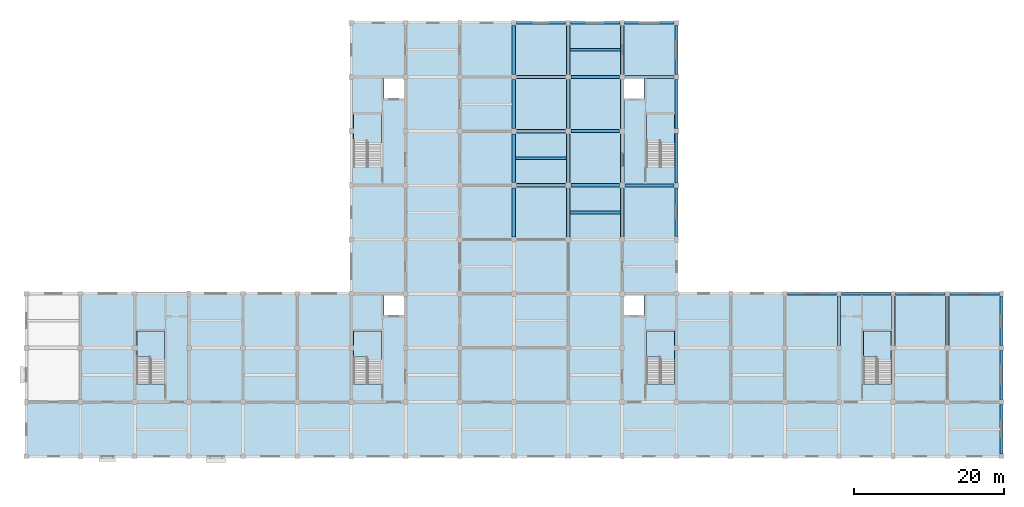
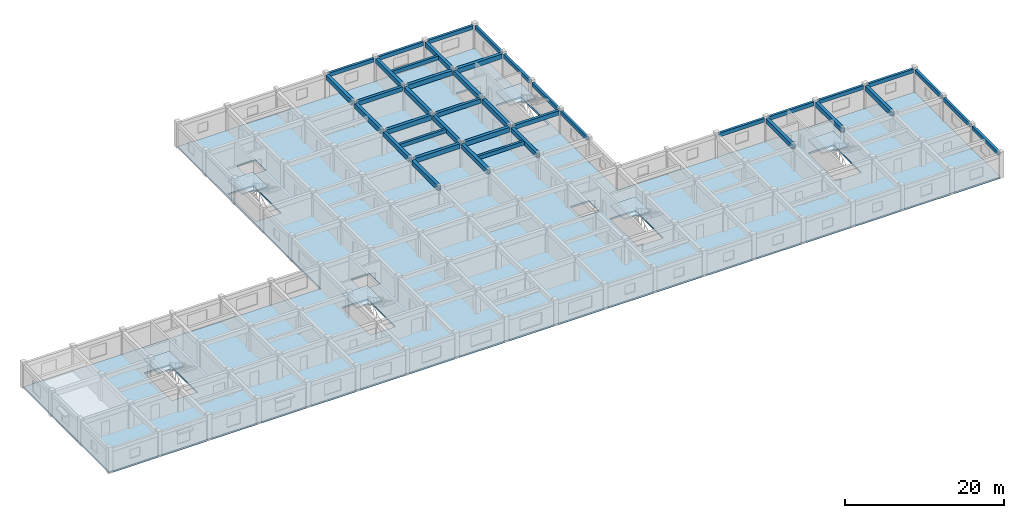
# One storey, part 3 of 11: 40 beams, 7 slabs, 6 elements without a shape of their own.
"""IFC4 building model written with IfcOpenShell, lengths in metres."""

from ifc_helpers import new_model, si_unit, direction, frame, origin, origin_2d, place, context, subcontext, project, spatial, polyline, rectangle, outline, extrude, material, layer, layer_set, material_profile, profile_set, type_object, element, aggregate, save


model = new_model("IFC4")

# Units and contexts
model_context = context("Model", 3, precision=1e-05, world=origin(), true_north=direction((0.0, 1.0)))
body_context = subcontext(model_context, "Body", "Model", "MODEL_VIEW")
ifc_project = project(units=[si_unit("LENGTHUNIT", "METRE"), si_unit("AREAUNIT", "SQUARE_METRE"), si_unit("VOLUMEUNIT", "CUBIC_METRE"), si_unit("PLANEANGLEUNIT", "RADIAN"), si_unit("MASSUNIT", "GRAM", prefix="KILO")], contexts=[model_context])

# Site, building, storey
site_placement = place(None, origin())
site = spatial("IfcSite", under=ifc_project, at=site_placement, CompositionType="ELEMENT")
building_placement = place(site_placement, origin())
building = spatial("IfcBuilding", under=site, at=building_placement, Name="Cendaluz Park School", CompositionType="ELEMENT")
storey_placement = place(building_placement, frame((0.0, 0.0, 26.60009765625)))
storey = spatial("IfcBuildingStorey", under=building, at=storey_placement, Name="L06", CompositionType="ELEMENT", Elevation=26.60009765625)

# Beams
ifc_material = material(Name="Concrete C40/50", Category="concrete")
ifc_material_profile_1 = material_profile(ifc_material, rectangle(XDim=0.449951171875, YDim=0.719970703125, at=origin_2d()), Name="RC 450x720", Category="concrete")
ifc_profile_set_1 = profile_set([ifc_material_profile_1], Name="Concrete C40/50")
beam_type_1 = type_object("IfcBeamType", Name="BM-RC02", PredefinedType="BEAM", material=ifc_profile_set_1)
for number, where, z_axis, x_axis, name in (
    (1, (86.75, 43.199951171875, 3.31982421875), (1.0, 0.0, 0.0), (0.0, 1.0, 0.0), "BM-L06-BMRC02-0054"),
    (2, (86.75, 50.39990234375, 3.31982421875), (1.0, 0.0, 0.0), (0.0, 1.0, 0.0), "BM-L06-BMRC02-0055"),
    (3, (93.949951171875, 43.199951171875, 3.31982421875), (1.0, 0.0, 0.0), (0.0, 1.0, 0.0), "BM-L06-BMRC02-0063"),
    (4, (93.949951171875, 57.60009765625, 3.31982421875), (1.0, 0.0, 0.0), (0.0, 1.0, 0.0), "BM-L06-BMRC02-0065"),
):
    element("IfcBeam", number, at=place(storey_placement, frame(where, z_axis=z_axis, x_axis=x_axis)), inside=storey, type_object=beam_type_1, Name=name, PredefinedType="BEAM", context=body_context, shape_type="SweptSolid", body=[
        extrude(rectangle(XDim=0.449951171875, YDim=0.719970703125, at=origin_2d()), origin(), (0.0, 0.0, 1.0), 6.5),
    ])
beam_1_placement = place(storey_placement, frame((101.14990234375, 57.60009765625, 3.31982421875), z_axis=(1.0, 0.0, 0.0), x_axis=(0.0, 1.0, 0.0)))
element("IfcBeam", 5, at=beam_1_placement, inside=storey, type_object=beam_type_1, Name="BM-L06-BMRC02-0072", PredefinedType="BEAM", context=body_context, shape_type="SweptSolid", body=[
    extrude(rectangle(XDim=0.449951171875, YDim=0.719970703125, at=origin_2d()), origin(), (0.0, 0.0, 1.0), 6.525146484375),
])
for number, where, z_axis, x_axis, name in (
    (6, (86.39990234375, 36.35009765625, 3.31982421875), (0.0, 1.0, 0.0), (-1.0, 0.0, 0.0), "BM-L06-BMRC02-0143"),
    (7, (86.39990234375, 43.550048828125, 3.31982421875), (0.0, 1.0, 0.0), (-1.0, 0.0, 0.0), "BM-L06-BMRC02-0144"),
    (8, (86.39990234375, 50.75, 3.31982421875), (0.0, 1.0, 0.0), (-1.0, 0.0, 0.0), "BM-L06-BMRC02-0145"),
):
    element("IfcBeam", number, at=place(storey_placement, frame(where, z_axis=z_axis, x_axis=x_axis)), inside=storey, type_object=beam_type_1, Name=name, PredefinedType="BEAM", context=body_context, shape_type="SweptSolid", body=[
        extrude(rectangle(XDim=0.449951171875, YDim=0.719970703125, at=origin_2d()), origin(), (0.0, 0.0, 1.0), 6.5),
    ])
beam_2_placement = place(storey_placement, frame((86.39990234375, 57.949951171875, 3.31982421875), z_axis=(0.0, 1.0, 0.0), x_axis=(-1.0, 0.0, 0.0)))
element("IfcBeam", 9, at=beam_2_placement, inside=storey, type_object=beam_type_1, Name="BM-L06-BMRC02-0146", PredefinedType="BEAM", context=body_context, shape_type="SweptSolid", body=[
    extrude(rectangle(XDim=0.449951171875, YDim=0.719970703125, at=origin_2d()), origin(), (0.0, 0.0, 1.0), 6.525146484375),
])
for number, where, z_axis, x_axis, name in (
    (10, (93.60009765625, 36.35009765625, 3.31982421875), (0.0, 1.0, 0.0), (-1.0, 0.0, 0.0), "BM-L06-BMRC02-0151"),
    (11, (93.60009765625, 43.550048828125, 3.31982421875), (0.0, 1.0, 0.0), (-1.0, 0.0, 0.0), "BM-L06-BMRC02-0152"),
    (12, (93.60009765625, 50.75, 3.31982421875), (0.0, 1.0, 0.0), (-1.0, 0.0, 0.0), "BM-L06-BMRC02-0153"),
):
    element("IfcBeam", number, at=place(storey_placement, frame(where, z_axis=z_axis, x_axis=x_axis)), inside=storey, type_object=beam_type_1, Name=name, PredefinedType="BEAM", context=body_context, shape_type="SweptSolid", body=[
        extrude(rectangle(XDim=0.449951171875, YDim=0.719970703125, at=origin_2d()), origin(), (0.0, 0.0, 1.0), 6.5),
    ])
beam_3_placement = place(storey_placement, frame((93.60009765625, 57.949951171875, 3.31982421875), z_axis=(0.0, 1.0, 0.0), x_axis=(-1.0, 0.0, 0.0)))
element("IfcBeam", 13, at=beam_3_placement, inside=storey, type_object=beam_type_1, Name="BM-L06-BMRC02-0154", PredefinedType="BEAM", context=body_context, shape_type="SweptSolid", body=[
    extrude(rectangle(XDim=0.449951171875, YDim=0.719970703125, at=origin_2d()), origin(), (0.0, 0.0, 1.0), 6.525146484375),
])
for number, where, z_axis, x_axis, name in (
    (14, (100.800048828125, 36.35009765625, 3.31982421875), (0.0, 1.0, 0.0), (-1.0, 0.0, 0.0), "BM-L06-BMRC02-0159"),
    (15, (100.800048828125, 43.550048828125, 3.31982421875), (0.0, 1.0, 0.0), (-1.0, 0.0, 0.0), "BM-L06-BMRC02-0160"),
    (16, (100.800048828125, 50.75, 3.31982421875), (0.0, 1.0, 0.0), (-1.0, 0.0, 0.0), "BM-L06-BMRC02-0161"),
):
    element("IfcBeam", number, at=place(storey_placement, frame(where, z_axis=z_axis, x_axis=x_axis)), inside=storey, type_object=beam_type_1, Name=name, PredefinedType="BEAM", context=body_context, shape_type="SweptSolid", body=[
        extrude(rectangle(XDim=0.449951171875, YDim=0.719970703125, at=origin_2d()), origin(), (0.0, 0.0, 1.0), 6.5),
    ])
for number, where, z_axis, x_axis, name in (
    (17, (100.800048828125, 57.949951171875, 3.31982421875), (0.0, 1.0, 0.0), (-1.0, 0.0, 0.0), "BM-L06-BMRC02-0162"),
    (18, (129.60009765625, 21.949951171875, 3.31982421875), (0.0, 1.0, 0.0), (-1.0, 0.0, 0.0), "BM-L06-BMRC02-0179"),
    (19, (136.800048828125, 21.949951171875, 3.31982421875), (0.0, 1.0, 0.0), (-1.0, 0.0, 0.0), "BM-L06-BMRC02-0182"),
    (20, (144.0, 21.949951171875, 3.31982421875), (0.0, 1.0, 0.0), (-1.0, 0.0, 0.0), "BM-L06-BMRC02-0185"),
):
    element("IfcBeam", number, at=place(storey_placement, frame(where, z_axis=z_axis, x_axis=x_axis)), inside=storey, type_object=beam_type_1, Name=name, PredefinedType="BEAM", context=body_context, shape_type="SweptSolid", body=[
        extrude(rectangle(XDim=0.449951171875, YDim=0.719970703125, at=origin_2d()), origin(), (0.0, 0.0, 1.0), 6.525146484375),
    ])
ifc_material_profile_2 = material_profile(ifc_material, rectangle(XDim=0.39990234375, YDim=0.64990234375, at=origin_2d()), Name="RC 400x650", Category="concrete")
ifc_profile_set_2 = profile_set([ifc_material_profile_2], Name="Concrete C40/50")
beam_type_2 = type_object("IfcBeamType", Name="BM-RC03", PredefinedType="T_BEAM", material=ifc_profile_set_2)
for number, where, z_axis, x_axis, name in (
    (21, (86.75, 57.60009765625, 3.35498046875), (1.0, 0.0, 0.0), (0.0, 1.0, 0.0), "BM-L06-BMRC03-0056"),
    (22, (93.949951171875, 50.39990234375, 3.35498046875), (1.0, 0.0, 0.0), (0.0, 1.0, 0.0), "BM-L06-BMRC03-0064"),
):
    element("IfcBeam", number, at=place(storey_placement, frame(where, z_axis=z_axis, x_axis=x_axis)), inside=storey, type_object=beam_type_2, Name=name, PredefinedType="T_BEAM", context=body_context, shape_type="SweptSolid", body=[
        extrude(rectangle(XDim=0.39990234375, YDim=0.64990234375, at=origin_2d()), origin(), (0.0, 0.0, 1.0), 6.5),
    ])
beam_4_placement = place(storey_placement, frame((101.14990234375, 43.199951171875, 3.35498046875), z_axis=(1.0, 0.0, 0.0), x_axis=(0.0, 1.0, 0.0)))
element("IfcBeam", 23, at=beam_4_placement, inside=storey, type_object=beam_type_2, Name="BM-L06-BMRC03-0071", PredefinedType="T_BEAM", context=body_context, shape_type="SweptSolid", body=[
    extrude(rectangle(XDim=0.39990234375, YDim=0.64990234375, at=origin_2d()), origin(), (0.0, 0.0, 1.0), 6.525146484375),
])
ifc_material_profile_3 = material_profile(ifc_material, rectangle(XDim=0.35009765625, YDim=0.580078125, at=origin_2d()), Name="RC 350x580", Category="concrete")
ifc_profile_set_3 = profile_set([ifc_material_profile_3], Name="Concrete C40/50")
beam_type_3 = type_object("IfcBeamType", Name="BM-RC04", PredefinedType="LINTEL", material=ifc_profile_set_3)
beam_5_placement = place(storey_placement, frame((86.72509765625, 64.800048828125, 3.389892578125), z_axis=(1.0, 0.0, 0.0), x_axis=(0.0, 1.0, 0.0)))
element("IfcBeam", 24, at=beam_5_placement, inside=storey, type_object=beam_type_3, Name="BM-L06-BMRC04-0057", PredefinedType="LINTEL", context=body_context, shape_type="SweptSolid", body=[
    extrude(rectangle(XDim=0.35009765625, YDim=0.580078125, at=origin_2d()), origin(), (0.0, 0.0, 1.0), 6.5498046875),
])
for number, where, z_axis, x_axis, name in (
    (25, (93.925048828125, 64.800048828125, 3.389892578125), (1.0, 0.0, 0.0), (0.0, 1.0, 0.0), "BM-L06-BMRC04-0066"),
    (26, (101.125, 64.800048828125, 3.389892578125), (1.0, 0.0, 0.0), (0.0, 1.0, 0.0), "BM-L06-BMRC04-0073"),
):
    element("IfcBeam", number, at=place(storey_placement, frame(where, z_axis=z_axis, x_axis=x_axis)), inside=storey, type_object=beam_type_3, Name=name, PredefinedType="LINTEL", context=body_context, shape_type="SweptSolid", body=[
        extrude(rectangle(XDim=0.35009765625, YDim=0.580078125, at=origin_2d()), origin(), (0.0, 0.0, 1.0), 6.550048828125),
    ])
beam_6_placement = place(storey_placement, frame((122.72509765625, 28.800048828125, 3.389892578125), z_axis=(1.0, 0.0, 0.0), x_axis=(0.0, 1.0, 0.0)))
element("IfcBeam", 27, at=beam_6_placement, inside=storey, type_object=beam_type_3, Name="BM-L06-BMRC04-0085", PredefinedType="LINTEL", context=body_context, shape_type="SweptSolid", body=[
    extrude(rectangle(XDim=0.35009765625, YDim=0.580078125, at=origin_2d()), origin(), (0.0, 0.0, 1.0), 6.5498046875),
])
for number, where, z_axis, x_axis, name in (
    (28, (129.925048828125, 28.800048828125, 3.389892578125), (1.0, 0.0, 0.0), (0.0, 1.0, 0.0), "BM-L06-BMRC04-0088"),
    (29, (137.125, 28.800048828125, 3.389892578125), (1.0, 0.0, 0.0), (0.0, 1.0, 0.0), "BM-L06-BMRC04-0092"),
):
    element("IfcBeam", number, at=place(storey_placement, frame(where, z_axis=z_axis, x_axis=x_axis)), inside=storey, type_object=beam_type_3, Name=name, PredefinedType="LINTEL", context=body_context, shape_type="SweptSolid", body=[
        extrude(rectangle(XDim=0.35009765625, YDim=0.580078125, at=origin_2d()), origin(), (0.0, 0.0, 1.0), 6.550048828125),
    ])
beam_7_placement = place(storey_placement, frame((144.324951171875, 28.800048828125, 3.389892578125), z_axis=(1.0, 0.0, 0.0), x_axis=(0.0, 1.0, 0.0)))
element("IfcBeam", 30, at=beam_7_placement, inside=storey, type_object=beam_type_3, Name="BM-L06-BMRC04-0096", PredefinedType="LINTEL", context=body_context, shape_type="SweptSolid", body=[
    extrude(rectangle(XDim=0.35009765625, YDim=0.580078125, at=origin_2d()), origin(), (0.0, 0.0, 1.0), 6.625),
])
beam_8_placement = place(storey_placement, frame((108.0, 36.375, 3.389892578125), z_axis=(0.0, 1.0, 0.0), x_axis=(-1.0, 0.0, 0.0)))
element("IfcBeam", 31, at=beam_8_placement, inside=storey, type_object=beam_type_3, Name="BM-L06-BMRC04-0167", PredefinedType="LINTEL", context=body_context, shape_type="SweptSolid", body=[
    extrude(rectangle(XDim=0.35009765625, YDim=0.580078125, at=origin_2d()), origin(), (0.0, 0.0, 1.0), 6.5),
])
beam_9_placement = place(storey_placement, frame((108.0, 43.52490234375, 3.389892578125), z_axis=(0.0, 1.0, 0.0), x_axis=(-1.0, 0.0, 0.0)))
element("IfcBeam", 32, at=beam_9_placement, inside=storey, type_object=beam_type_3, Name="BM-L06-BMRC04-0168", PredefinedType="LINTEL", context=body_context, shape_type="SweptSolid", body=[
    extrude(rectangle(XDim=0.35009765625, YDim=0.580078125, at=origin_2d()), origin(), (0.0, 0.0, 1.0), 6.550048828125),
])
beam_10_placement = place(storey_placement, frame((108.0, 50.72509765625, 3.389892578125), z_axis=(0.0, 1.0, 0.0), x_axis=(-1.0, 0.0, 0.0)))
element("IfcBeam", 33, at=beam_10_placement, inside=storey, type_object=beam_type_3, Name="BM-L06-BMRC04-0169", PredefinedType="LINTEL", context=body_context, shape_type="SweptSolid", body=[
    extrude(rectangle(XDim=0.35009765625, YDim=0.580078125, at=origin_2d()), origin(), (0.0, 0.0, 1.0), 6.5498046875),
])
for number, where, z_axis, x_axis, name in (
    (34, (108.0, 57.925048828125, 3.389892578125), (0.0, 1.0, 0.0), (-1.0, 0.0, 0.0), "BM-L06-BMRC04-0170"),
    (35, (151.199951171875, 7.52490234375, 3.389892578125), (0.0, 1.0, 0.0), (-1.0, 0.0, 0.0), "BM-L06-BMRC04-0186"),
):
    element("IfcBeam", number, at=place(storey_placement, frame(where, z_axis=z_axis, x_axis=x_axis)), inside=storey, type_object=beam_type_3, Name=name, PredefinedType="LINTEL", context=body_context, shape_type="SweptSolid", body=[
        extrude(rectangle(XDim=0.35009765625, YDim=0.580078125, at=origin_2d()), origin(), (0.0, 0.0, 1.0), 6.550048828125),
    ])
beam_11_placement = place(storey_placement, frame((151.199951171875, 14.72509765625, 3.389892578125), z_axis=(0.0, 1.0, 0.0), x_axis=(-1.0, 0.0, 0.0)))
element("IfcBeam", 36, at=beam_11_placement, inside=storey, type_object=beam_type_3, Name="BM-L06-BMRC04-0187", PredefinedType="LINTEL", context=body_context, shape_type="SweptSolid", body=[
    extrude(rectangle(XDim=0.35009765625, YDim=0.580078125, at=origin_2d()), origin(), (0.0, 0.0, 1.0), 6.5498046875),
])
beam_12_placement = place(storey_placement, frame((151.199951171875, 21.925048828125, 3.389892578125), z_axis=(0.0, 1.0, 0.0), x_axis=(-1.0, 0.0, 0.0)))
element("IfcBeam", 37, at=beam_12_placement, inside=storey, type_object=beam_type_3, Name="BM-L06-BMRC04-0188", PredefinedType="LINTEL", context=body_context, shape_type="SweptSolid", body=[
    extrude(rectangle(XDim=0.35009765625, YDim=0.580078125, at=origin_2d()), origin(), (0.0, 0.0, 1.0), 6.5),
])
ifc_material_profile_4 = material_profile(ifc_material, rectangle(XDim=0.35009765625, YDim=0.580078125, at=origin_2d()), Name="RC 350x580", Category="concrete")
ifc_profile_set_4 = profile_set([ifc_material_profile_4], Name="Concrete C40/50")
beam_type_4 = type_object("IfcBeamType", Name="JT-RC01", PredefinedType="JOIST", material=ifc_profile_set_4)
for number, where, z_axis, x_axis, name in (
    (38, (86.625, 46.800048828125, 3.389892578125), (1.0, 0.0, 0.0), (0.0, 1.0, 0.0), "BM-L06-JTRC01-0202"),
    (39, (93.824951171875, 39.60009765625, 3.389892578125), (1.0, 0.0, 0.0), (0.0, 1.0, 0.0), "BM-L06-JTRC01-0204"),
    (40, (93.824951171875, 61.199951171875, 3.389892578125), (1.0, 0.0, 0.0), (0.0, 1.0, 0.0), "BM-L06-JTRC01-0205"),
):
    element("IfcBeam", number, at=place(storey_placement, frame(where, z_axis=z_axis, x_axis=x_axis)), inside=storey, type_object=beam_type_4, Name=name, PredefinedType="JOIST", context=body_context, shape_type="SweptSolid", body=[
        extrude(rectangle(XDim=0.35009765625, YDim=0.580078125, at=origin_2d()), origin(), (0.0, 0.0, 1.0), 6.75),
    ])

# Slab
ifc_layer_1 = layer(ifc_material, 0.25)
ifc_layer_set_1 = layer_set([ifc_layer_1], Name="Concrete C40/50")
slab_type_1 = type_object("IfcSlabType", Name="SL-FL-250", PredefinedType="FLOOR", material=ifc_layer_set_1)
slab_1_placement = place(storey_placement, frame((0.0, 0.0, -0.25)))
element("IfcSlab", 41, at=slab_1_placement, inside=storey, type_object=slab_type_1, Name="SL-L06-01", PredefinedType="FLOOR", context=body_context, shape_type="SweptSolid", body=[
    extrude(outline(polyline([(64.800048828125, 28.800048828125), (64.800048828125, 64.800048828125), (108.0, 64.800048828125), (108.0, 28.800048828125), (151.199951171875, 28.800048828125), (151.199951171875, 7.199951171875), (21.60009765625, 7.199951171875), (21.60009765625, 28.800048828125), (64.800048828125, 28.800048828125)]), holes=[polyline([(65.080078125, 23.840087890625), (65.080078125, 16.820068359375), (68.77001953125, 16.820068359375), (68.77001953125, 23.840087890625), (65.080078125, 23.840087890625)]), polyline([(71.800048828125, 28.60009765625), (69.10009765625, 28.60009765625), (69.10009765625, 25.93994140625), (71.800048828125, 25.93994140625), (71.800048828125, 28.60009765625)]), polyline([(107.719970703125, 16.820068359375), (107.719970703125, 23.840087890625), (104.030029296875, 23.840087890625), (104.030029296875, 16.820068359375), (107.719970703125, 16.820068359375)]), polyline([(101.0, 25.93994140625), (103.699951171875, 25.93994140625), (103.699951171875, 28.60009765625), (101.0, 28.60009765625), (101.0, 25.93994140625)]), polyline([(65.080078125, 52.639892578125), (65.080078125, 45.6201171875), (68.77001953125, 45.6201171875), (68.77001953125, 52.639892578125), (65.080078125, 52.639892578125)]), polyline([(71.800048828125, 57.39990234375), (69.10009765625, 57.39990234375), (69.10009765625, 54.739990234375), (71.800048828125, 54.739990234375), (71.800048828125, 57.39990234375)]), polyline([(107.719970703125, 45.6201171875), (107.719970703125, 52.639892578125), (104.030029296875, 52.639892578125), (104.030029296875, 45.6201171875), (107.719970703125, 45.6201171875)]), polyline([(101.0, 54.739990234375), (103.699951171875, 54.739990234375), (103.699951171875, 57.39990234375), (101.0, 57.39990234375), (101.0, 54.739990234375)]), polyline([(36.280029296875, 23.840087890625), (36.280029296875, 16.820068359375), (39.969970703125, 16.820068359375), (39.969970703125, 23.840087890625), (36.280029296875, 23.840087890625)]), polyline([(136.52001953125, 23.840087890625), (132.830078125, 23.840087890625), (132.830078125, 16.820068359375), (136.52001953125, 16.820068359375), (136.52001953125, 23.840087890625)])]), origin(), (0.0, 0.0, 1.0), 0.25),
])

# Stair, slab
stair_type = type_object("IfcStairType", Name="ST-400-180", PredefinedType="HALF_TURN_STAIR", material=ifc_material)
stair_1_placement = place(storey_placement, origin())
stair_1 = element("IfcStair", 42, at=stair_1_placement, inside=storey, type_object=stair_type, Name="ST-L06-C1", PredefinedType="HALF_TURN_STAIR")
ifc_layer_2 = layer(ifc_material, 0.199951171875)
ifc_layer_set_2 = layer_set([ifc_layer_2], Name="Concrete C40/50")
slab_type_2 = type_object("IfcSlabType", Name="SL-LD-200", PredefinedType="LANDING", material=ifc_layer_set_2)
slab_2_placement = place(storey_placement, frame((0.0, 0.0, 1.8798828125)))
slab_2 = element("IfcSlab", 43, at=slab_2_placement, type_object=slab_type_2, Name="SL-LD-L06-C1", PredefinedType="LANDING", context=body_context, shape_type="SweptSolid", body=[
    extrude(outline(polyline([(65.090087890625, 20.360107421875), (66.925048828125, 20.360107421875), (66.925048828125, 20.06005859375), (68.77001953125, 20.06005859375), (68.77001953125, 23.860107421875), (65.090087890625, 23.860107421875), (65.090087890625, 20.360107421875)])), origin(), (0.0, 0.0, 1.0), 0.199951171875),
])
aggregate(stair_1, [slab_2])

stair_2_placement = place(storey_placement, origin())
stair_2 = element("IfcStair", 44, at=stair_2_placement, inside=storey, type_object=stair_type, Name="ST-L06-C2", PredefinedType="HALF_TURN_STAIR")
slab_3_placement = place(storey_placement, frame((0.0, 0.0, 1.8798828125)))
slab_3 = element("IfcSlab", 45, at=slab_3_placement, type_object=slab_type_2, Name="SL-LD-L06-C2", PredefinedType="LANDING", context=body_context, shape_type="SweptSolid", body=[
    extrude(outline(polyline([(104.030029296875, 20.360107421875), (105.875, 20.360107421875), (105.875, 20.06005859375), (107.7099609375, 20.06005859375), (107.7099609375, 23.860107421875), (104.030029296875, 23.860107421875), (104.030029296875, 20.360107421875)])), origin(), (0.0, 0.0, 1.0), 0.199951171875),
])
aggregate(stair_2, [slab_3])

stair_3_placement = place(storey_placement, origin())
stair_3 = element("IfcStair", 46, at=stair_3_placement, inside=storey, type_object=stair_type, Name="ST-L06-C3", PredefinedType="HALF_TURN_STAIR")
slab_4_placement = place(storey_placement, frame((0.0, 0.0, 1.8798828125)))
slab_4 = element("IfcSlab", 47, at=slab_4_placement, type_object=slab_type_2, Name="SL-LD-L06-C3", PredefinedType="LANDING", context=body_context, shape_type="SweptSolid", body=[
    extrude(outline(polyline([(65.090087890625, 49.159912109375), (66.925048828125, 49.159912109375), (66.925048828125, 48.860107421875), (68.77001953125, 48.860107421875), (68.77001953125, 52.659912109375), (65.090087890625, 52.659912109375), (65.090087890625, 49.159912109375)])), origin(), (0.0, 0.0, 1.0), 0.199951171875),
])
aggregate(stair_3, [slab_4])

stair_4_placement = place(storey_placement, origin())
stair_4 = element("IfcStair", 48, at=stair_4_placement, inside=storey, type_object=stair_type, Name="ST-L06-C4", PredefinedType="HALF_TURN_STAIR")
slab_5_placement = place(storey_placement, frame((0.0, 0.0, 1.8798828125)))
slab_5 = element("IfcSlab", 49, at=slab_5_placement, type_object=slab_type_2, Name="SL-LD-L06-C4", PredefinedType="LANDING", context=body_context, shape_type="SweptSolid", body=[
    extrude(outline(polyline([(104.030029296875, 49.159912109375), (105.875, 49.159912109375), (105.875, 48.860107421875), (107.7099609375, 48.860107421875), (107.7099609375, 52.659912109375), (104.030029296875, 52.659912109375), (104.030029296875, 49.159912109375)])), origin(), (0.0, 0.0, 1.0), 0.199951171875),
])
aggregate(stair_4, [slab_5])

stair_5_placement = place(storey_placement, origin())
stair_5 = element("IfcStair", 50, at=stair_5_placement, inside=storey, type_object=stair_type, Name="ST-L06-C5", PredefinedType="HALF_TURN_STAIR")
slab_6_placement = place(storey_placement, frame((0.0, 0.0, 1.8798828125)))
slab_6 = element("IfcSlab", 51, at=slab_6_placement, type_object=slab_type_2, Name="SL-LD-L06-C5", PredefinedType="LANDING", context=body_context, shape_type="SweptSolid", body=[
    extrude(outline(polyline([(36.2900390625, 20.360107421875), (38.125, 20.360107421875), (38.125, 20.06005859375), (39.969970703125, 20.06005859375), (39.969970703125, 23.860107421875), (36.2900390625, 23.860107421875), (36.2900390625, 20.360107421875)])), origin(), (0.0, 0.0, 1.0), 0.199951171875),
])
aggregate(stair_5, [slab_6])

stair_6_placement = place(storey_placement, origin())
stair_6 = element("IfcStair", 52, at=stair_6_placement, inside=storey, type_object=stair_type, Name="ST-L06-C6", PredefinedType="HALF_TURN_STAIR")
slab_7_placement = place(storey_placement, frame((0.0, 0.0, 1.8798828125)))
slab_7 = element("IfcSlab", 53, at=slab_7_placement, type_object=slab_type_2, Name="SL-LD-L06-C6", PredefinedType="LANDING", context=body_context, shape_type="SweptSolid", body=[
    extrude(outline(polyline([(132.830078125, 20.360107421875), (134.675048828125, 20.360107421875), (134.675048828125, 20.06005859375), (136.510009765625, 20.06005859375), (136.510009765625, 23.860107421875), (132.830078125, 23.860107421875), (132.830078125, 20.360107421875)])), origin(), (0.0, 0.0, 1.0), 0.199951171875),
])
aggregate(stair_6, [slab_7])

save(model, "model.ifc")
